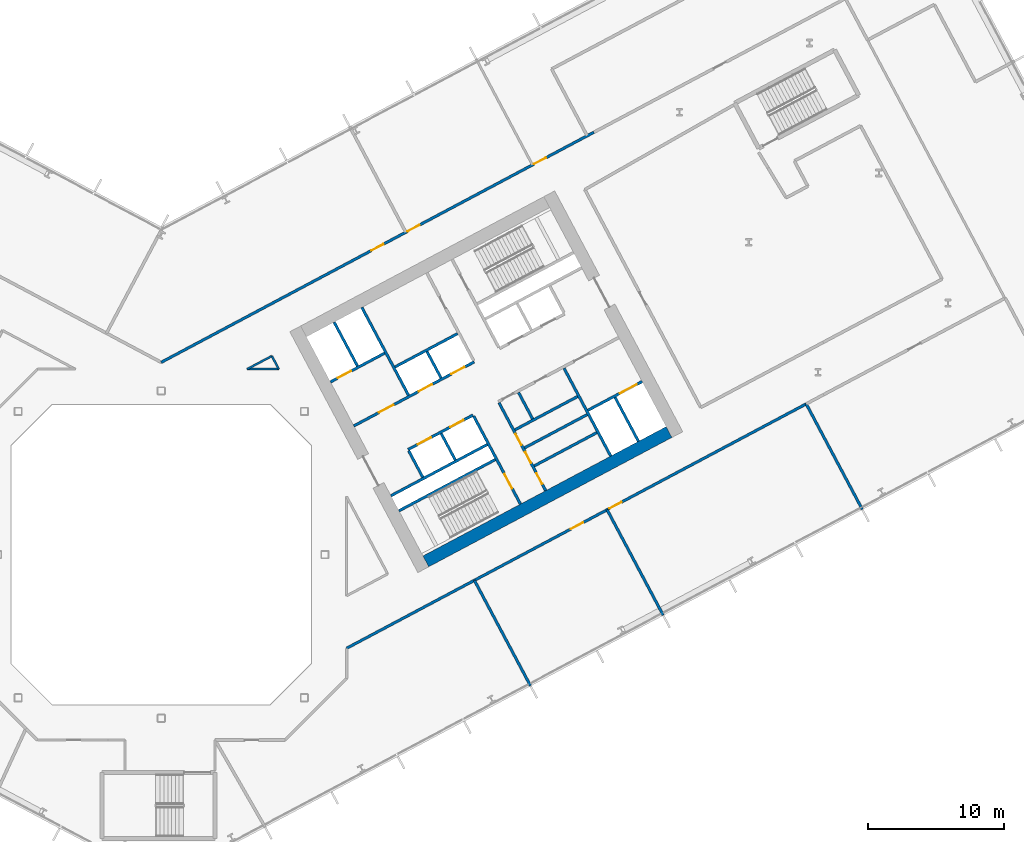
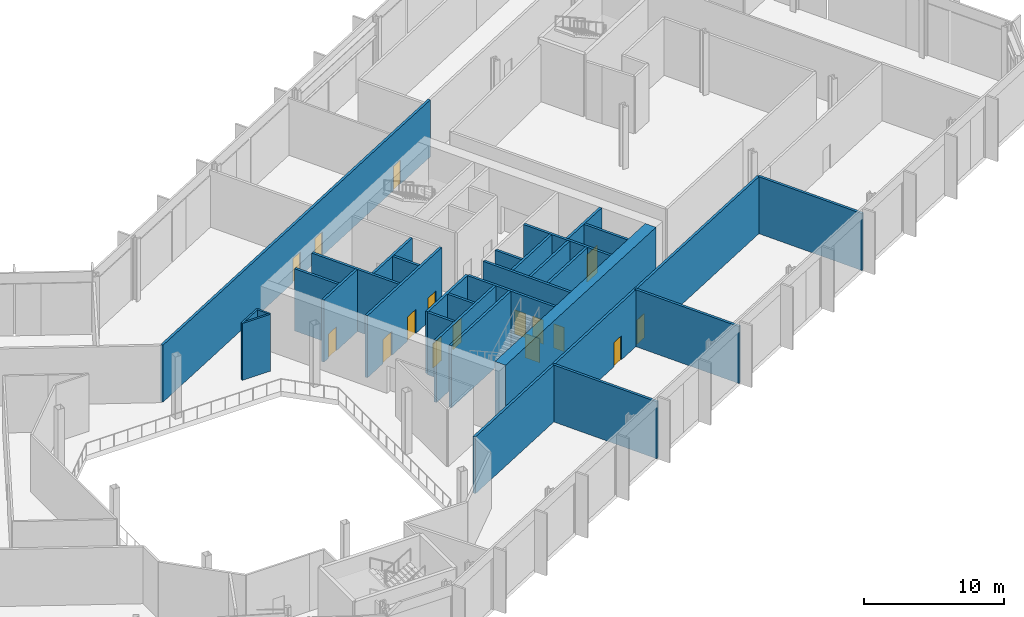
# One storey, part 15 of 30: 29 walls, 16 doors, 16 openings.
"""IFC4 building model written with IfcOpenShell, lengths in metres."""

from ifc_helpers import new_model, si_unit, direction, frame, frame_2d, origin, place, context, subcontext, project, spatial, rectangle, extrude, material, layer, layer_set, type_object, element, fill, save


model = new_model("IFC4")

# Units and contexts
model_context = context("Model", 3, precision=1e-05, world=origin(), true_north=direction((0.0, 1.0)))
body_context = subcontext(model_context, "Body", "Model", "MODEL_VIEW")
ifc_project = project(units=[si_unit("LENGTHUNIT", "METRE"), si_unit("AREAUNIT", "SQUARE_METRE"), si_unit("VOLUMEUNIT", "CUBIC_METRE"), si_unit("PLANEANGLEUNIT", "RADIAN"), si_unit("MASSUNIT", "GRAM", prefix="KILO")], contexts=[model_context])

# Site, building, storey
site_placement = place(None, origin())
site = spatial("IfcSite", under=ifc_project, at=site_placement, CompositionType="ELEMENT")
building_placement = place(site_placement, origin())
building = spatial("IfcBuilding", under=site, at=building_placement, Name="Cormorant Relay Tower", CompositionType="ELEMENT")
storey_placement = place(building_placement, frame((0.0, 0.0, 44.60009765625)))
storey = spatial("IfcBuildingStorey", under=building, at=storey_placement, Name="L08", CompositionType="ELEMENT", Elevation=44.60009765625)

# Walls
ifc_material_1 = material(Name="Concrete 40 MPa", Category="concrete")
ifc_layer_1 = layer(ifc_material_1, 0.199951171875)
ifc_layer_set_1 = layer_set([ifc_layer_1], Name="Core internal wall 200")
wall_type_1 = type_object("IfcWallType", Name="Core internal wall 200", PredefinedType="SOLIDWALL", material=ifc_layer_set_1)
for number, where, z_axis, x_axis, name in (
    (1, (21.567626953125, 6.9375, 0.0), (0.0, 0.0, 1.0), (-0.469533832133, 0.882914480843, 0.0), "L08 core B shaft and room wall"),
    (2, (20.522216796875, 12.950439453125, 0.0), (0.0, 0.0, 1.0), (-0.469401318492, 0.882984938828, 0.0), "L08 core B shaft and room wall"),
    (3, (27.236083984375, 9.951416015625, 0.0), (0.0, 0.0, 1.0), (-0.4694473164, 0.882960484464, 0.0), "L08 core B shaft and room wall"),
):
    element("IfcWall", number, at=place(storey_placement, frame(where, z_axis=z_axis, x_axis=x_axis)), inside=storey, type_object=wall_type_1, Name=name, PredefinedType="SOLIDWALL", context=body_context, shape_type="SweptSolid", body=[
        extrude(rectangle(XDim=2.199951171875, YDim=0.199951171875, at=frame_2d((1.10009765625, 0.0))), origin(), (0.0, 0.0, 1.0), 5.39990234375),
    ])
for number, where, z_axis, x_axis, name in (
    (4, (27.349365234375, 6.500732421875, 0.0), (0.0, 0.0, 1.0), (0.882953967957, 0.469459572775, 0.0), "L08 core B shaft and room wall"),
    (5, (26.645263671875, 7.8251953125, 0.0), (0.0, 0.0, 1.0), (0.882953967957, 0.469459572775, 0.0), "L08 core B shaft and room wall"),
):
    element("IfcWall", number, at=place(storey_placement, frame(where, z_axis=z_axis, x_axis=x_axis)), inside=storey, type_object=wall_type_1, Name=name, PredefinedType="SOLIDWALL", context=body_context, shape_type="SweptSolid", body=[
        extrude(rectangle(XDim=5.199951171875, YDim=0.199951171875, at=frame_2d((2.60009765625, 0.0))), origin(), (0.0, 0.0, 1.0), 5.39990234375),
    ])
ifc_material_2 = material(Name="Concrete 50 MPa", Category="concrete")
ifc_layer_2 = layer(ifc_material_2, 0.199951171875)
ifc_layer_set_2 = layer_set([ifc_layer_2], Name="Core shaft wall 200")
wall_type_2 = type_object("IfcWallType", Name="Core shaft wall 200", PredefinedType="SHEAR", material=ifc_layer_set_2)
wall_1_placement = place(storey_placement, frame((14.39404296875, 13.825927734375, 0.0), z_axis=(0.0, 0.0, 1.0), x_axis=(-0.469494272526, 0.882935517501, 0.0)))
element("IfcWall", 6, at=wall_1_placement, inside=storey, type_object=wall_type_2, Name="L08 core B shaft wall", PredefinedType="SHEAR", context=body_context, shape_type="SweptSolid", body=[
    extrude(rectangle(XDim=3.64990234375, YDim=0.199951171875, at=frame_2d((1.824951171875, 0.0))), origin(), (0.0, 0.0, 1.0), 5.39990234375),
])
wall_2_placement = place(storey_placement, frame((19.18359375, 5.669921875, 0.0), z_axis=(0.0, 0.0, 1.0), x_axis=(-0.4694473164, 0.882960484464, 0.0)))
element("IfcWall", 7, at=wall_2_placement, inside=storey, type_object=wall_type_2, Name="L08 core B shaft wall", PredefinedType="SHEAR", context=body_context, shape_type="SweptSolid", body=[
    extrude(rectangle(XDim=2.199951171875, YDim=0.199951171875, at=frame_2d((1.10009765625, 0.0))), origin(), (0.0, 0.0, 1.0), 5.39990234375),
])
wall_3_placement = place(storey_placement, frame((18.138427734375, 11.682861328125, 0.0), z_axis=(0.0, 0.0, 1.0), x_axis=(-0.469480409012, 0.88294288918, 0.0)))
element("IfcWall", 8, at=wall_3_placement, inside=storey, type_object=wall_type_2, Name="L08 core B shaft wall", PredefinedType="SHEAR", context=body_context, shape_type="SweptSolid", body=[
    extrude(rectangle(XDim=7.300048828125, YDim=0.199951171875, at=frame_2d((3.64990234375, 0.0))), origin(), (0.0, 0.0, 1.0), 5.39990234375),
])

# Wall, opening, door
wall_4_placement = place(storey_placement, frame((26.345947265625, 3.701904296875, 0.0), z_axis=(0.0, 0.0, 1.0), x_axis=(-0.469480409012, 0.88294288918, 0.0)))
wall_4 = element("IfcWall", 9, at=wall_4_placement, inside=storey, type_object=wall_type_2, Name="L08 core B shaft wall", PredefinedType="SHEAR", context=body_context, shape_type="SweptSolid", body=[
    extrude(rectangle(XDim=7.300048828125, YDim=0.199951171875, at=frame_2d((3.64990234375, 0.0))), origin(), (0.0, 0.0, 1.0), 5.39990234375),
])
opening_1_placement = place(wall_4_placement, frame((1.300048828125, 0.0, 0.0)))
opening_1 = element("IfcOpeningElement", 10, at=opening_1_placement, cuts=wall_4, Name="Opening CDB-021", PredefinedType="OPENING", context=body_context, shape_type="SweptSolid", body=[
    extrude(rectangle(XDim=1.199951171875, YDim=2.10009765625, at=frame_2d((0.60009765625, 1.050048828125))), frame((0.0, 0.10986328125, 0.0), z_axis=(0.0, -1.0, 0.0), x_axis=(1.0, 0.0, 0.0)), (0.0, 0.0, 1.0), 0.219970703125),
])
ifc_material_3 = material(Name="Steel fire door", Category="steel")
door_type_1 = type_object("IfcDoorType", Name="Core stair door 1200x2100", OperationType="SINGLE_SWING_LEFT", PredefinedType="DOOR", material=ifc_material_3)
door_1_placement = place(opening_1_placement, origin())
door_1 = element("IfcDoor", 11, at=door_1_placement, inside=storey, type_object=door_type_1, Name="Core stair door 1200x2100", OperationType="SINGLE_SWING_RIGHT", OverallHeight=2.10009765625, OverallWidth=1.199951171875, PredefinedType="DOOR", context=body_context, shape_type="SweptSolid", body=[
    extrude(rectangle(XDim=1.199951171875, YDim=2.10009765625, at=frame_2d((0.60009765625, 1.050048828125))), frame((0.0, 0.02490234375, 0.0), z_axis=(0.0, -1.0, 0.0), x_axis=(1.0, 0.0, 0.0)), (0.0, 0.0, 1.0), 0.050048828125),
])
fill(opening_1, door_1)

# Wall, openings, doors
wall_5_placement = place(storey_placement, frame((28.199951171875, 4.687744140625, 0.0), z_axis=(0.0, 0.0, 1.0), x_axis=(-0.469454336211, 0.882956752176, 0.0)))
wall_5 = element("IfcWall", 12, at=wall_5_placement, inside=storey, type_object=wall_type_2, Name="L08 core B shaft wall", PredefinedType="SHEAR", context=body_context, shape_type="SweptSolid", body=[
    extrude(rectangle(XDim=7.300048828125, YDim=0.199951171875, at=frame_2d((3.64990234375, 0.0))), origin(), (0.0, 0.0, 1.0), 5.39990234375),
])
opening_2_placement = place(wall_5_placement, frame((0.550048828125, 0.0, 0.0)))
opening_2 = element("IfcOpeningElement", 13, at=opening_2_placement, cuts=wall_5, Name="Opening CDD-078", PredefinedType="OPENING", context=body_context, shape_type="SweptSolid", body=[
    extrude(rectangle(XDim=0.89990234375, YDim=2.10009765625, at=frame_2d((0.449951171875, 1.050048828125))), frame((0.0, 0.10986328125, 0.0), z_axis=(0.0, -1.0, 0.0), x_axis=(1.0, 0.0, 0.0)), (0.0, 0.0, 1.0), 0.219970703125),
])
opening_3_placement = place(wall_5_placement, frame((2.300048828125, 0.0, 0.0)))
opening_3 = element("IfcOpeningElement", 14, at=opening_3_placement, cuts=wall_5, Name="Opening CDD-079", PredefinedType="OPENING", context=body_context, shape_type="SweptSolid", body=[
    extrude(rectangle(XDim=0.89990234375, YDim=2.10009765625, at=frame_2d((0.449951171875, 1.050048828125))), frame((0.0, 0.10986328125, 0.0), z_axis=(0.0, -1.0, 0.0), x_axis=(1.0, 0.0, 0.0)), (0.0, 0.0, 1.0), 0.219970703125),
])
opening_4_placement = place(wall_5_placement, frame((3.800048828125, 0.0, 0.0)))
opening_4 = element("IfcOpeningElement", 15, at=opening_4_placement, cuts=wall_5, Name="Opening CDD-080", PredefinedType="OPENING", context=body_context, shape_type="SweptSolid", body=[
    extrude(rectangle(XDim=0.89990234375, YDim=2.10009765625, at=frame_2d((0.449951171875, 1.050048828125))), frame((0.0, 0.10986328125, 0.0), z_axis=(0.0, -1.0, 0.0), x_axis=(1.0, 0.0, 0.0)), (0.0, 0.0, 1.0), 0.219970703125),
])
ifc_material_4 = material(Name="Steel fire door", Category="steel")
door_type_2 = type_object("IfcDoorType", Name="Core room door 900x2100", OperationType="SINGLE_SWING_LEFT", PredefinedType="DOOR", material=ifc_material_4)
door_2_placement = place(opening_2_placement, frame((0.89990234375, 0.0, 0.0), z_axis=(0.0, 0.0, 1.0), x_axis=(-1.0, 0.0, 0.0)))
door_2 = element("IfcDoor", 16, at=door_2_placement, inside=storey, type_object=door_type_2, Name="Core room door 900x2100", OperationType="SINGLE_SWING_LEFT", OverallHeight=2.10009765625, OverallWidth=0.89990234375, PredefinedType="DOOR", context=body_context, shape_type="SweptSolid", body=[
    extrude(rectangle(XDim=0.89990234375, YDim=2.10009765625, at=frame_2d((0.449951171875, 1.050048828125))), frame((0.0, 0.02490234375, 0.0), z_axis=(0.0, -1.0, 0.0), x_axis=(1.0, 0.0, 0.0)), (0.0, 0.0, 1.0), 0.050048828125),
])
fill(opening_2, door_2)
door_3_placement = place(opening_3_placement, frame((0.89990234375, 0.0, 0.0), z_axis=(0.0, 0.0, 1.0), x_axis=(-1.0, 0.0, 0.0)))
door_3 = element("IfcDoor", 17, at=door_3_placement, inside=storey, type_object=door_type_2, Name="Core room door 900x2100", OperationType="SINGLE_SWING_LEFT", OverallHeight=2.10009765625, OverallWidth=0.89990234375, PredefinedType="DOOR", context=body_context, shape_type="SweptSolid", body=[
    extrude(rectangle(XDim=0.89990234375, YDim=2.10009765625, at=frame_2d((0.449951171875, 1.050048828125))), frame((0.0, 0.02490234375, 0.0), z_axis=(0.0, -1.0, 0.0), x_axis=(1.0, 0.0, 0.0)), (0.0, 0.0, 1.0), 0.050048828125),
])
fill(opening_3, door_3)
door_4_placement = place(opening_4_placement, frame((0.89990234375, 0.0, 0.0), z_axis=(0.0, 0.0, 1.0), x_axis=(-1.0, 0.0, 0.0)))
door_4 = element("IfcDoor", 18, at=door_4_placement, inside=storey, type_object=door_type_2, Name="Core room door 900x2100", OperationType="SINGLE_SWING_LEFT", OverallHeight=2.10009765625, OverallWidth=0.89990234375, PredefinedType="DOOR", context=body_context, shape_type="SweptSolid", body=[
    extrude(rectangle(XDim=0.89990234375, YDim=2.10009765625, at=frame_2d((0.449951171875, 1.050048828125))), frame((0.0, 0.02490234375, 0.0), z_axis=(0.0, -1.0, 0.0), x_axis=(1.0, 0.0, 0.0)), (0.0, 0.0, 1.0), 0.050048828125),
])
fill(opening_4, door_4)

# Walls
wall_6_placement = place(storey_placement, frame((32.968017578125, 7.222900390625, 0.0), z_axis=(0.0, 0.0, 1.0), x_axis=(-0.469480409012, 0.88294288918, 0.0)))
element("IfcWall", 19, at=wall_6_placement, inside=storey, type_object=wall_type_2, Name="L08 core B shaft wall", PredefinedType="SHEAR", context=body_context, shape_type="SweptSolid", body=[
    extrude(rectangle(XDim=7.300048828125, YDim=0.199951171875, at=frame_2d((3.64990234375, 0.0))), origin(), (0.0, 0.0, 1.0), 5.39990234375),
])
wall_7_placement = place(storey_placement, frame((34.998779296875, 8.302734375, 0.0), z_axis=(0.0, 0.0, 1.0), x_axis=(-0.4694665462, 0.882950260207, 0.0)))
element("IfcWall", 20, at=wall_7_placement, inside=storey, type_object=wall_type_2, Name="L08 core B shaft wall", PredefinedType="SHEAR", context=body_context, shape_type="SweptSolid", body=[
    extrude(rectangle(XDim=3.650146484375, YDim=0.199951171875, at=frame_2d((1.8251953125, 0.0))), origin(), (0.0, 0.0, 1.0), 5.39990234375),
])
wall_8_placement = place(storey_placement, frame((17.43359375, 3.210205078125, 0.0), z_axis=(0.0, 0.0, 1.0), x_axis=(0.882940221191, 0.469485426614, 0.0)))
element("IfcWall", 21, at=wall_8_placement, inside=storey, type_object=wall_type_2, Name="L08 core B shaft wall", PredefinedType="SHEAR", context=body_context, shape_type="SweptSolid", body=[
    extrude(rectangle(XDim=8.0, YDim=0.199951171875, at=frame_2d((4.0, 0.0))), origin(), (0.0, 0.0, 1.0), 5.39990234375),
])

# Wall, opening, door
wall_9_placement = place(storey_placement, frame((31.295654296875, 10.5810546875, 0.0), z_axis=(0.0, 0.0, 1.0), x_axis=(0.882960433586, 0.469447412093, 0.0)))
wall_9 = element("IfcWall", 22, at=wall_9_placement, inside=storey, type_object=wall_type_2, Name="L08 core B shaft wall", PredefinedType="SHEAR", context=body_context, shape_type="SweptSolid", body=[
    extrude(rectangle(XDim=4.5, YDim=0.199951171875, at=frame_2d((2.25, 0.0))), origin(), (0.0, 0.0, 1.0), 5.39990234375),
])
opening_5_placement = place(wall_9_placement, frame((2.64990234375, 0.0, 0.0)))
opening_5 = element("IfcOpeningElement", 23, at=opening_5_placement, cuts=wall_9, Name="Opening LD3-008", PredefinedType="OPENING", context=body_context, shape_type="SweptSolid", body=[
    extrude(rectangle(XDim=1.39990234375, YDim=2.39990234375, at=frame_2d((0.699951171875, 1.199951171875))), frame((0.0, 0.10986328125, 0.0), z_axis=(0.0, -1.0, 0.0), x_axis=(1.0, 0.0, 0.0)), (0.0, 0.0, 1.0), 0.219970703125),
])
ifc_material_5 = material(Name="Stainless steel 316", Category="steel")
door_type_3 = type_object("IfcDoorType", Name="Lift landing door 1400x2400", OperationType="DOUBLE_DOOR_SLIDING", PredefinedType="DOOR", material=ifc_material_5)
door_5_placement = place(opening_5_placement, origin())
door_5 = element("IfcDoor", 24, at=door_5_placement, inside=storey, type_object=door_type_3, Name="SV2 landing door", OperationType="DOUBLE_DOOR_SLIDING", OverallHeight=2.39990234375, OverallWidth=1.39990234375, PredefinedType="DOOR", context=body_context, shape_type="SweptSolid", body=[
    extrude(rectangle(XDim=1.39990234375, YDim=2.39990234375, at=frame_2d((0.699951171875, 1.199951171875))), frame((0.0, 0.02490234375, 0.0), z_axis=(0.0, -1.0, 0.0), x_axis=(1.0, 0.0, 0.0)), (0.0, 0.0, 1.0), 0.050048828125),
])
fill(opening_5, door_5)

# Walls
wall_10_placement = place(storey_placement, frame((16.8466796875, 4.31396484375, 0.0), z_axis=(0.0, 0.0, 1.0), x_axis=(0.882940221191, 0.469485426614, 0.0)))
element("IfcWall", 25, at=wall_10_placement, inside=storey, type_object=wall_type_2, Name="L08 core B shaft wall", PredefinedType="SHEAR", context=body_context, shape_type="SweptSolid", body=[
    extrude(rectangle(XDim=8.0, YDim=0.199951171875, at=frame_2d((4.0, 0.0))), origin(), (0.0, 0.0, 1.0), 5.39990234375),
])
wall_11_placement = place(storey_placement, frame((25.94091796875, 9.149658203125, 0.0), z_axis=(0.0, 0.0, 1.0), x_axis=(0.882953967957, 0.469459572775, 0.0)))
element("IfcWall", 26, at=wall_11_placement, inside=storey, type_object=wall_type_2, Name="L08 core B shaft wall", PredefinedType="SHEAR", context=body_context, shape_type="SweptSolid", body=[
    extrude(rectangle(XDim=5.199951171875, YDim=0.199951171875, at=frame_2d((2.60009765625, 0.0))), origin(), (0.0, 0.0, 1.0), 5.39990234375),
])

# Wall, openings, doors
wall_12_placement = place(storey_placement, frame((18.103759765625, 7.70068359375, 0.0), z_axis=(0.0, 0.0, 1.0), x_axis=(0.882952937579, 0.469461510692, 0.0)))
wall_12 = element("IfcWall", 27, at=wall_12_placement, inside=storey, type_object=wall_type_2, Name="L08 core B shaft wall", PredefinedType="SHEAR", context=body_context, shape_type="SweptSolid", body=[
    extrude(rectangle(XDim=5.400146484375, YDim=0.199951171875, at=frame_2d((2.7001953125, 0.0))), origin(), (0.0, 0.0, 1.0), 5.39990234375),
])
opening_6_placement = place(wall_12_placement, frame((0.800048828125, 0.0, 0.0)))
opening_6 = element("IfcOpeningElement", 28, at=opening_6_placement, cuts=wall_12, Name="Opening LD1-024", PredefinedType="OPENING", context=body_context, shape_type="SweptSolid", body=[
    extrude(rectangle(XDim=1.10009765625, YDim=2.10009765625, at=frame_2d((0.550048828125, 1.050048828125))), frame((0.0, 0.10986328125, 0.0), z_axis=(0.0, -1.0, 0.0), x_axis=(1.0, 0.0, 0.0)), (0.0, 0.0, 1.0), 0.219970703125),
])
opening_7_placement = place(wall_12_placement, frame((3.5, 0.0, 0.0)))
opening_7 = element("IfcOpeningElement", 29, at=opening_7_placement, cuts=wall_12, Name="Opening LD1-025", PredefinedType="OPENING", context=body_context, shape_type="SweptSolid", body=[
    extrude(rectangle(XDim=1.10009765625, YDim=2.10009765625, at=frame_2d((0.550048828125, 1.050048828125))), frame((0.0, 0.10986328125, 0.0), z_axis=(0.0, -1.0, 0.0), x_axis=(1.0, 0.0, 0.0)), (0.0, 0.0, 1.0), 0.219970703125),
])
ifc_material_6 = material(Name="Stainless steel 316", Category="steel")
door_type_4 = type_object("IfcDoorType", Name="Lift landing door 1100x2100", OperationType="DOUBLE_DOOR_SLIDING", PredefinedType="DOOR", material=ifc_material_6)
door_6_placement = place(opening_6_placement, origin())
door_6 = element("IfcDoor", 30, at=door_6_placement, inside=storey, type_object=door_type_4, Name="LR5 landing door", OperationType="DOUBLE_DOOR_SLIDING", OverallHeight=2.10009765625, OverallWidth=1.10009765625, PredefinedType="DOOR", context=body_context, shape_type="SweptSolid", body=[
    extrude(rectangle(XDim=1.10009765625, YDim=2.10009765625, at=frame_2d((0.550048828125, 1.050048828125))), frame((0.0, 0.02490234375, 0.0), z_axis=(0.0, -1.0, 0.0), x_axis=(1.0, 0.0, 0.0)), (0.0, 0.0, 1.0), 0.050048828125),
])
fill(opening_6, door_6)
door_7_placement = place(opening_7_placement, origin())
door_7 = element("IfcDoor", 31, at=door_7_placement, inside=storey, type_object=door_type_4, Name="LR6 landing door", OperationType="DOUBLE_DOOR_SLIDING", OverallHeight=2.10009765625, OverallWidth=1.10009765625, PredefinedType="DOOR", context=body_context, shape_type="SweptSolid", body=[
    extrude(rectangle(XDim=1.10009765625, YDim=2.10009765625, at=frame_2d((0.550048828125, 1.050048828125))), frame((0.0, 0.02490234375, 0.0), z_axis=(0.0, -1.0, 0.0), x_axis=(1.0, 0.0, 0.0)), (0.0, 0.0, 1.0), 0.050048828125),
])
fill(opening_7, door_7)

wall_13_placement = place(storey_placement, frame((14.123779296875, 9.43505859375, 0.0), z_axis=(0.0, 0.0, 1.0), x_axis=(0.882940221191, 0.469485426614, 0.0)))
wall_13 = element("IfcWall", 32, at=wall_13_placement, inside=storey, type_object=wall_type_2, Name="L08 core B shaft wall", PredefinedType="SHEAR", context=body_context, shape_type="SweptSolid", body=[
    extrude(rectangle(XDim=10.0, YDim=0.199951171875, at=frame_2d((5.0, 0.0))), origin(), (0.0, 0.0, 1.0), 5.39990234375),
])
opening_8_placement = place(wall_13_placement, frame((2.10009765625, 0.0, 0.0)))
opening_8 = element("IfcOpeningElement", 33, at=opening_8_placement, cuts=wall_13, Name="Opening CDC-015", PredefinedType="OPENING", context=body_context, shape_type="SweptSolid", body=[
    extrude(rectangle(XDim=1.199951171875, YDim=2.10009765625, at=frame_2d((0.60009765625, 1.050048828125))), frame((0.0, 0.10986328125, 0.0), z_axis=(0.0, -1.0, 0.0), x_axis=(1.0, 0.0, 0.0)), (0.0, 0.0, 1.0), 0.219970703125),
])
opening_9_placement = place(wall_13_placement, frame((5.39990234375, 0.0, 0.0)))
opening_9 = element("IfcOpeningElement", 34, at=opening_9_placement, cuts=wall_13, Name="Opening LD1-020", PredefinedType="OPENING", context=body_context, shape_type="SweptSolid", body=[
    extrude(rectangle(XDim=1.10009765625, YDim=2.10009765625, at=frame_2d((0.550048828125, 1.050048828125))), frame((0.0, 0.10986328125, 0.0), z_axis=(0.0, -1.0, 0.0), x_axis=(1.0, 0.0, 0.0)), (0.0, 0.0, 1.0), 0.219970703125),
])
opening_10_placement = place(wall_13_placement, frame((8.10009765625, 0.0, 0.0)))
opening_10 = element("IfcOpeningElement", 35, at=opening_10_placement, cuts=wall_13, Name="Opening LD1-021", PredefinedType="OPENING", context=body_context, shape_type="SweptSolid", body=[
    extrude(rectangle(XDim=1.10009765625, YDim=2.10009765625, at=frame_2d((0.550048828125, 1.050048828125))), frame((0.0, 0.10986328125, 0.0), z_axis=(0.0, -1.0, 0.0), x_axis=(1.0, 0.0, 0.0)), (0.0, 0.0, 1.0), 0.219970703125),
])
ifc_material_7 = material(Name="Steel fire door", Category="steel")
door_type_5 = type_object("IfcDoorType", Name="Core lobby door 1200x2100", OperationType="SINGLE_SWING_LEFT", PredefinedType="DOOR", material=ifc_material_7)
door_8_placement = place(opening_8_placement, origin())
door_8 = element("IfcDoor", 36, at=door_8_placement, inside=storey, type_object=door_type_5, Name="Core lobby door 1200x2100", OperationType="SINGLE_SWING_RIGHT", OverallHeight=2.10009765625, OverallWidth=1.199951171875, PredefinedType="DOOR", context=body_context, shape_type="SweptSolid", body=[
    extrude(rectangle(XDim=1.199951171875, YDim=2.10009765625, at=frame_2d((0.60009765625, 1.050048828125))), frame((0.0, 0.02490234375, 0.0), z_axis=(0.0, -1.0, 0.0), x_axis=(1.0, 0.0, 0.0)), (0.0, 0.0, 1.0), 0.050048828125),
])
fill(opening_8, door_8)
door_9_placement = place(opening_9_placement, origin())
door_9 = element("IfcDoor", 37, at=door_9_placement, inside=storey, type_object=door_type_4, Name="LR1 landing door", OperationType="DOUBLE_DOOR_SLIDING", OverallHeight=2.10009765625, OverallWidth=1.10009765625, PredefinedType="DOOR", context=body_context, shape_type="SweptSolid", body=[
    extrude(rectangle(XDim=1.10009765625, YDim=2.10009765625, at=frame_2d((0.550048828125, 1.050048828125))), frame((0.0, 0.02490234375, 0.0), z_axis=(0.0, -1.0, 0.0), x_axis=(1.0, 0.0, 0.0)), (0.0, 0.0, 1.0), 0.050048828125),
])
fill(opening_9, door_9)
door_10_placement = place(opening_10_placement, origin())
door_10 = element("IfcDoor", 38, at=door_10_placement, inside=storey, type_object=door_type_4, Name="LR2 landing door", OperationType="DOUBLE_DOOR_SLIDING", OverallHeight=2.10009765625, OverallWidth=1.10009765625, PredefinedType="DOOR", context=body_context, shape_type="SweptSolid", body=[
    extrude(rectangle(XDim=1.10009765625, YDim=2.10009765625, at=frame_2d((0.550048828125, 1.050048828125))), frame((0.0, 0.02490234375, 0.0), z_axis=(0.0, -1.0, 0.0), x_axis=(1.0, 0.0, 0.0)), (0.0, 0.0, 1.0), 0.050048828125),
])
fill(opening_10, door_10)

# Wall
wall_14_placement = place(storey_placement, frame((17.146728515625, 13.7607421875, 0.0), z_axis=(0.0, 0.0, 1.0), x_axis=(0.882964314875, 0.469440111896, 0.0)))
element("IfcWall", 39, at=wall_14_placement, inside=storey, type_object=wall_type_2, Name="L08 core B shaft wall", PredefinedType="SHEAR", context=body_context, shape_type="SweptSolid", body=[
    extrude(rectangle(XDim=5.2001953125, YDim=0.199951171875, at=frame_2d((2.60009765625, 0.0))), origin(), (0.0, 0.0, 1.0), 5.39990234375),
])

# Wall, opening, door
wall_15_placement = place(storey_placement, frame((12.41015625, 12.657958984375, 0.0), z_axis=(0.0, 0.0, 1.0), x_axis=(0.8829484765, 0.469469900894, 0.0)))
wall_15 = element("IfcWall", 40, at=wall_15_placement, inside=storey, type_object=wall_type_2, Name="L08 core B shaft wall", PredefinedType="SHEAR", context=body_context, shape_type="SweptSolid", body=[
    extrude(rectangle(XDim=4.499755859375, YDim=0.199951171875, at=frame_2d((2.25, 0.0))), origin(), (0.0, 0.0, 1.0), 5.39990234375),
])
opening_11_placement = place(wall_15_placement, frame((0.60009765625, 0.0, 0.0)))
opening_11 = element("IfcOpeningElement", 41, at=opening_11_placement, cuts=wall_15, Name="Opening LD1-026", PredefinedType="OPENING", context=body_context, shape_type="SweptSolid", body=[
    extrude(rectangle(XDim=1.10009765625, YDim=2.10009765625, at=frame_2d((0.550048828125, 1.050048828125))), frame((0.0, 0.10986328125, 0.0), z_axis=(0.0, -1.0, 0.0), x_axis=(1.0, 0.0, 0.0)), (0.0, 0.0, 1.0), 0.219970703125),
])
door_11_placement = place(opening_11_placement, origin())
door_11 = element("IfcDoor", 42, at=door_11_placement, inside=storey, type_object=door_type_4, Name="FF2 landing door", OperationType="DOUBLE_DOOR_SLIDING", OverallHeight=2.10009765625, OverallWidth=1.10009765625, PredefinedType="DOOR", context=body_context, shape_type="SweptSolid", body=[
    extrude(rectangle(XDim=1.10009765625, YDim=2.10009765625, at=frame_2d((0.550048828125, 1.050048828125))), frame((0.0, 0.02490234375, 0.0), z_axis=(0.0, -1.0, 0.0), x_axis=(1.0, 0.0, 0.0)), (0.0, 0.0, 1.0), 0.050048828125),
])
fill(opening_11, door_11)

# Wall
ifc_material_8 = material(Name="Concrete 70 MPa", Category="concrete")
ifc_layer_3 = layer(ifc_material_8, 0.89990234375)
ifc_layer_set_3 = layer_set([ifc_layer_3], Name="Core wall 900")
wall_type_3 = type_object("IfcWallType", Name="Core wall 900", PredefinedType="SHEAR", material=ifc_layer_set_3)
wall_16_placement = place(storey_placement, frame((19.4052734375, -0.498046875, 0.0), z_axis=(0.0, 0.0, 1.0), x_axis=(0.88294509198, 0.469476266226, 0.0)))
element("IfcWall", 43, at=wall_16_placement, inside=storey, type_object=wall_type_3, Name="L08 core B wall", PredefinedType="SHEAR", context=body_context, shape_type="SweptSolid", body=[
    extrude(rectangle(XDim=20.199951171875, YDim=0.89990234375, at=frame_2d((10.10009765625, 0.0))), origin(), (0.0, 0.0, 1.0), 5.39990234375),
])

# Wall, openings, doors
ifc_material_9 = material(Name="Fire-rated gypsum board partition")
ifc_layer_4 = layer(ifc_material_9, 0.199951171875)
ifc_layer_set_4 = layer_set([ifc_layer_4], Name="Fire-rated gypsum partition 200")
wall_type_4 = type_object("IfcWallType", Name="Fire-rated gypsum partition 200", PredefinedType="PARTITIONING", material=ifc_layer_set_4)
wall_17_placement = place(storey_placement, frame((0.0, 14.10009765625, 0.0), z_axis=(0.0, 0.0, 1.0), x_axis=(0.882945550769, 0.469475403378, 0.0)))
wall_17 = element("IfcWall", 44, at=wall_17_placement, inside=storey, type_object=wall_type_4, Name="wall/L08/part/33", PredefinedType="PARTITIONING", context=body_context, shape_type="SweptSolid", body=[
    extrude(rectangle(XDim=35.9375, YDim=0.199951171875, at=frame_2d((17.96875, 0.0))), origin(), (0.0, 0.0, 1.0), 4.949951171875),
])
opening_12_placement = place(wall_17_placement, frame((30.949951171875, 0.0, 0.0)))
opening_12 = element("IfcOpeningElement", 45, at=opening_12_placement, cuts=wall_17, Name="Opening FD1-058", PredefinedType="OPENING", context=body_context, shape_type="SweptSolid", body=[
    extrude(rectangle(XDim=1.0, YDim=2.10009765625, at=frame_2d((0.5, 1.050048828125))), frame((0.0, 0.10986328125, 0.0), z_axis=(0.0, -1.0, 0.0), x_axis=(1.0, 0.0, 0.0)), (0.0, 0.0, 1.0), 0.219970703125),
])
opening_13_placement = place(wall_17_placement, frame((20.449951171875, 0.0, 0.0)))
opening_13 = element("IfcOpeningElement", 46, at=opening_13_placement, cuts=wall_17, Name="Opening FD1-059", PredefinedType="OPENING", context=body_context, shape_type="SweptSolid", body=[
    extrude(rectangle(XDim=1.0, YDim=2.10009765625, at=frame_2d((0.5, 1.050048828125))), frame((0.0, 0.10986328125, 0.0), z_axis=(0.0, -1.0, 0.0), x_axis=(1.0, 0.0, 0.0)), (0.0, 0.0, 1.0), 0.219970703125),
])
opening_14_placement = place(wall_17_placement, frame((17.449951171875, 0.0, 0.0)))
opening_14 = element("IfcOpeningElement", 47, at=opening_14_placement, cuts=wall_17, Name="Opening FD1-048", PredefinedType="OPENING", context=body_context, shape_type="SweptSolid", body=[
    extrude(rectangle(XDim=1.0, YDim=2.10009765625, at=frame_2d((0.5, 1.050048828125))), frame((0.0, 0.10986328125, 0.0), z_axis=(0.0, -1.0, 0.0), x_axis=(1.0, 0.0, 0.0)), (0.0, 0.0, 1.0), 0.219970703125),
])
ifc_material_10 = material(Name="Fire-rated steel door", Category="steel")
door_type_6 = type_object("IfcDoorType", Name="Fire door 1000 x 2100", OperationType="SINGLE_SWING_LEFT", PredefinedType="DOOR", material=ifc_material_10)
door_12_placement = place(opening_12_placement, origin())
door_12 = element("IfcDoor", 48, at=door_12_placement, inside=storey, type_object=door_type_6, Name="door/L08/8", OperationType="SINGLE_SWING_LEFT", OverallHeight=2.10009765625, OverallWidth=1.0, PredefinedType="DOOR", context=body_context, shape_type="SweptSolid", body=[
    extrude(rectangle(XDim=1.0, YDim=2.10009765625, at=frame_2d((0.5, 1.050048828125))), frame((0.0, 0.02490234375, 0.0), z_axis=(0.0, -1.0, 0.0), x_axis=(1.0, 0.0, 0.0)), (0.0, 0.0, 1.0), 0.050048828125),
])
fill(opening_12, door_12)
door_13_placement = place(opening_13_placement, origin())
door_13 = element("IfcDoor", 49, at=door_13_placement, inside=storey, type_object=door_type_6, Name="door/L08/9", OperationType="SINGLE_SWING_LEFT", OverallHeight=2.10009765625, OverallWidth=1.0, PredefinedType="DOOR", context=body_context, shape_type="SweptSolid", body=[
    extrude(rectangle(XDim=1.0, YDim=2.10009765625, at=frame_2d((0.5, 1.050048828125))), frame((0.0, 0.02490234375, 0.0), z_axis=(0.0, -1.0, 0.0), x_axis=(1.0, 0.0, 0.0)), (0.0, 0.0, 1.0), 0.050048828125),
])
fill(opening_13, door_13)
door_14_placement = place(opening_14_placement, origin())
door_14 = element("IfcDoor", 50, at=door_14_placement, inside=storey, type_object=door_type_6, Name="door/L08/10", OperationType="SINGLE_SWING_LEFT", OverallHeight=2.10009765625, OverallWidth=1.0, PredefinedType="DOOR", context=body_context, shape_type="SweptSolid", body=[
    extrude(rectangle(XDim=1.0, YDim=2.10009765625, at=frame_2d((0.5, 1.050048828125))), frame((0.0, 0.02490234375, 0.0), z_axis=(0.0, -1.0, 0.0), x_axis=(1.0, 0.0, 0.0)), (0.0, 0.0, 1.0), 0.050048828125),
])
fill(opening_14, door_14)

# Wall
wall_18_placement = place(storey_placement, frame((22.968017578125, -1.887939453125, 0.0), z_axis=(0.0, 0.0, 1.0), x_axis=(0.469461194384, -0.882953105758, 0.0)))
element("IfcWall", 51, at=wall_18_placement, inside=storey, type_object=wall_type_4, Name="wall/L08/part/57", PredefinedType="PARTITIONING", context=body_context, shape_type="SweptSolid", body=[
    extrude(rectangle(XDim=8.750244140625, YDim=0.199951171875, at=frame_2d((4.375, 0.0))), origin(), (0.0, 0.0, 1.0), 4.949951171875),
])

# Wall, openings, doors
wall_19_placement = place(storey_placement, frame((47.301025390625, 11.050048828125, 0.0), z_axis=(0.0, 0.0, 1.0), x_axis=(-0.882949285086, -0.469468380155, 0.0)))
wall_19 = element("IfcWall", 52, at=wall_19_placement, inside=storey, type_object=wall_type_4, Name="wall/L08/part/58", PredefinedType="PARTITIONING", context=body_context, shape_type="SweptSolid", body=[
    extrude(rectangle(XDim=38.168701171875, YDim=0.199951171875, at=frame_2d((19.08447265625, 0.0))), origin(), (0.0, 0.0, 1.0), 4.949951171875),
])
opening_15_placement = place(wall_19_placement, frame((18.550048828125, 0.0, 0.0)))
opening_15 = element("IfcOpeningElement", 53, at=opening_15_placement, cuts=wall_19, Name="Opening FD1-054", PredefinedType="OPENING", context=body_context, shape_type="SweptSolid", body=[
    extrude(rectangle(XDim=1.0, YDim=2.10009765625, at=frame_2d((0.5, 1.050048828125))), frame((0.0, 0.10986328125, 0.0), z_axis=(0.0, -1.0, 0.0), x_axis=(1.0, 0.0, 0.0)), (0.0, 0.0, 1.0), 0.219970703125),
])
opening_16_placement = place(wall_19_placement, frame((15.35009765625, 0.0, 0.0)))
opening_16 = element("IfcOpeningElement", 54, at=opening_16_placement, cuts=wall_19, Name="Opening FD1-055", PredefinedType="OPENING", context=body_context, shape_type="SweptSolid", body=[
    extrude(rectangle(XDim=1.0, YDim=2.10009765625, at=frame_2d((0.5, 1.050048828125))), frame((0.0, 0.10986328125, 0.0), z_axis=(0.0, -1.0, 0.0), x_axis=(1.0, 0.0, 0.0)), (0.0, 0.0, 1.0), 0.219970703125),
])
door_15_placement = place(opening_15_placement, origin())
door_15 = element("IfcDoor", 55, at=door_15_placement, inside=storey, type_object=door_type_6, Name="door/L08/4", OperationType="SINGLE_SWING_RIGHT", OverallHeight=2.10009765625, OverallWidth=1.0, PredefinedType="DOOR", context=body_context, shape_type="SweptSolid", body=[
    extrude(rectangle(XDim=1.0, YDim=2.10009765625, at=frame_2d((0.5, 1.050048828125))), frame((0.0, 0.02490234375, 0.0), z_axis=(0.0, -1.0, 0.0), x_axis=(1.0, 0.0, 0.0)), (0.0, 0.0, 1.0), 0.050048828125),
])
fill(opening_15, door_15)
door_16_placement = place(opening_16_placement, origin())
door_16 = element("IfcDoor", 56, at=door_16_placement, inside=storey, type_object=door_type_6, Name="door/L08/5", OperationType="SINGLE_SWING_RIGHT", OverallHeight=2.10009765625, OverallWidth=1.0, PredefinedType="DOOR", context=body_context, shape_type="SweptSolid", body=[
    extrude(rectangle(XDim=1.0, YDim=2.10009765625, at=frame_2d((0.5, 1.050048828125))), frame((0.0, 0.02490234375, 0.0), z_axis=(0.0, -1.0, 0.0), x_axis=(1.0, 0.0, 0.0)), (0.0, 0.0, 1.0), 0.050048828125),
])
fill(opening_16, door_16)

# Walls
wall_20_placement = place(storey_placement, frame((36.80908203125, -4.43896484375, 0.0), z_axis=(0.0, 0.0, 1.0), x_axis=(-0.469482945701, 0.882941540361, 0.0)))
element("IfcWall", 57, at=wall_20_placement, inside=storey, type_object=wall_type_4, Name="wall/L08/part/64", PredefinedType="PARTITIONING", context=body_context, shape_type="SweptSolid", body=[
    extrude(rectangle(XDim=8.75048828125, YDim=0.199951171875, at=frame_2d((4.375244140625, 0.0))), origin(), (0.0, 0.0, 1.0), 4.949951171875),
])
wall_21_placement = place(storey_placement, frame((47.301025390625, 11.050048828125, 0.0), z_axis=(0.0, 0.0, 1.0), x_axis=(0.469461194384, -0.882953105758, 0.0)))
element("IfcWall", 58, at=wall_21_placement, inside=storey, type_object=wall_type_4, Name="wall/L08/part/65", PredefinedType="PARTITIONING", context=body_context, shape_type="SweptSolid", body=[
    extrude(rectangle(XDim=8.750244140625, YDim=0.199951171875, at=frame_2d((4.375, 0.0))), origin(), (0.0, 0.0, 1.0), 4.949951171875),
])
ifc_material_11 = material(Name="Gypsum board partition")
ifc_layer_5 = layer(ifc_material_11, 0.14990234375)
ifc_layer_set_5 = layer_set([ifc_layer_5], Name="Gypsum board partition 150")
wall_type_5 = type_object("IfcWallType", Name="Gypsum board partition 150", PredefinedType="PARTITIONING", material=ifc_layer_set_5)
wall_22_placement = place(storey_placement, frame((8.625, 13.60009765625, 0.0), z_axis=(0.0, 0.0, 1.0), x_axis=(-0.469460742142, 0.882953346212, 0.0)))
element("IfcWall", 59, at=wall_22_placement, inside=storey, type_object=wall_type_5, Name="wall/L08/part/85", PredefinedType="PARTITIONING", context=body_context, shape_type="SweptSolid", body=[
    extrude(rectangle(XDim=1.090576171875, YDim=0.14990234375, at=frame_2d((0.54541015625, 0.0))), origin(), (0.0, 0.0, 1.0), 4.949951171875),
])
wall_23_placement = place(storey_placement, frame((8.113037109375, 14.56298828125, 0.0), z_axis=(0.0, 0.0, 1.0), x_axis=(-0.88306333775, -0.469253813539, 0.0)))
element("IfcWall", 60, at=wall_23_placement, inside=storey, type_object=wall_type_5, Name="wall/L08/part/86", PredefinedType="PARTITIONING", context=body_context, shape_type="SweptSolid", body=[
    extrude(rectangle(XDim=2.052001953125, YDim=0.14990234375, at=frame_2d((1.02587890625, 0.0))), origin(), (0.0, 0.0, 1.0), 4.949951171875),
])
wall_24_placement = place(storey_placement, frame((6.301025390625, 13.60009765625, 0.0), z_axis=(0.0, 0.0, 1.0), x_axis=(1.0, 0.0, 0.0)))
element("IfcWall", 61, at=wall_24_placement, inside=storey, type_object=wall_type_5, Name="wall/L08/part/87", PredefinedType="PARTITIONING", context=body_context, shape_type="SweptSolid", body=[
    extrude(rectangle(XDim=2.323974609375, YDim=0.14990234375, at=frame_2d((1.162109375, 0.0))), origin(), (0.0, 0.0, 1.0), 4.949951171875),
])

save(model, "model.ifc")
